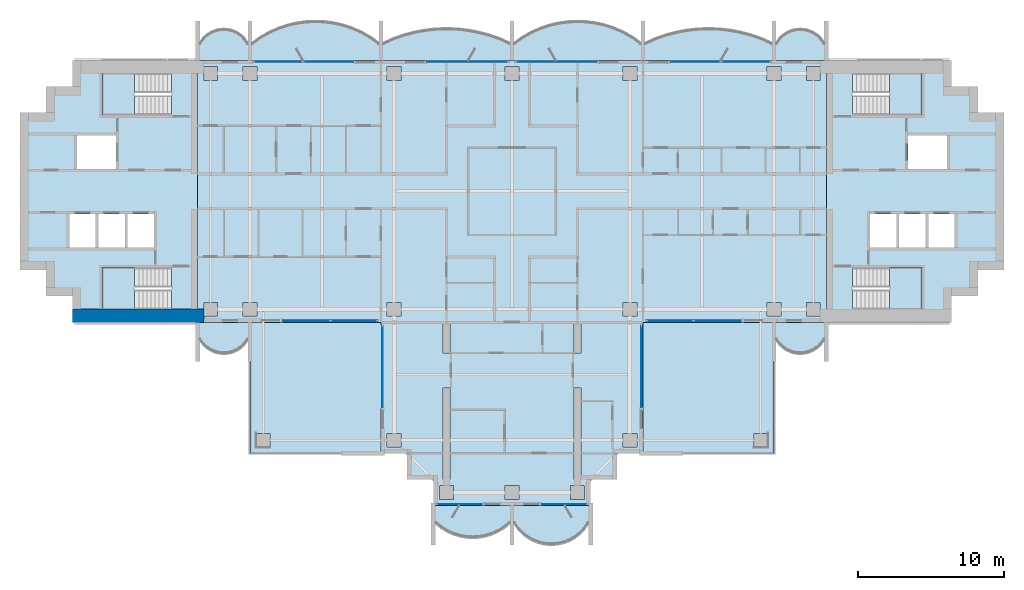
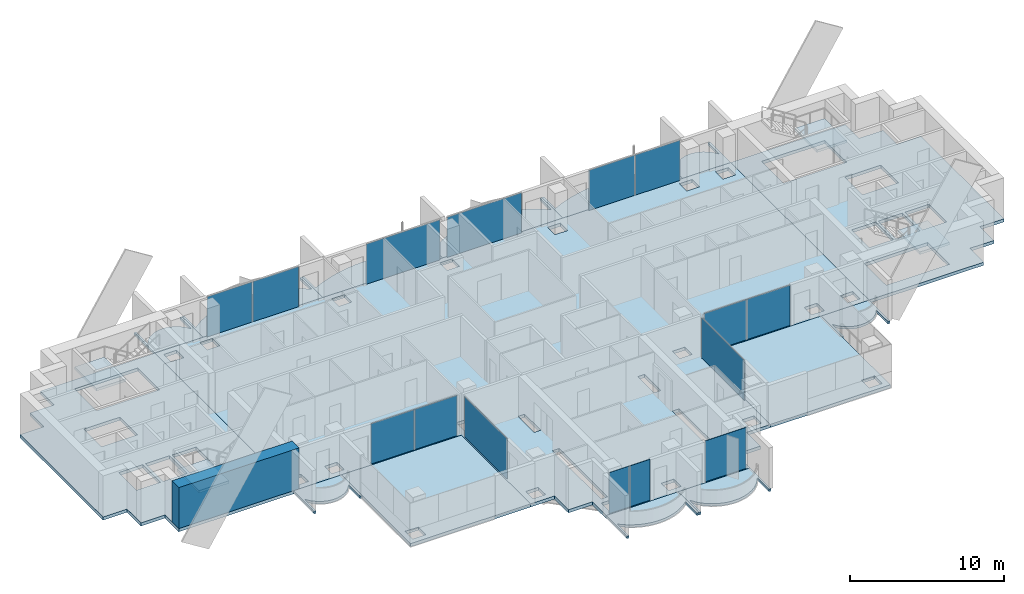
# One storey, part 7 of 17: 19 slabs, 14 plates, 1 wall, 14 elements without a shape of their own.
"""IFC4 building model written with IfcOpenShell, lengths in metres."""

import ifcopenshell
import ifcopenshell.guid

model = None  # the IFC model being written
_history = None  # IfcOwnerHistory: only IFC2X3 demands one
_inside = {}  # id of a spatial element -> (the spatial element, [elements in it])
_under = {}  # id of a project, library or spatial element -> (it, [spatial elements below it])
_declared = {}  # id of a project -> (the project, [libraries it declares])
_typed = {}  # id of a type object -> (the type object, [elements of that type])
_made_of = {}  # id of a material, layer set ... -> (it, [elements and type objects made of it])


def new_model(schema):
    """Start an empty IFC model of exactly this schema.

    Asked for "IFC4X3", IfcOpenShell would pick the latest addendum, in which some entities
    have other attributes; the version numbers below select the first issue.
    IFC2X3 requires an IfcOwnerHistory on every rooted entity: one is made here for all.
    """
    global model, _history
    if schema == "IFC4X3":
        model = ifcopenshell.file(schema_version=(4, 3, 0, 0))
    else:
        model = ifcopenshell.file(schema=schema)
    _inside.clear()
    _under.clear()
    _declared.clear()
    _typed.clear()
    _made_of.clear()
    _history = None
    if model.schema == "IFC2X3":
        org = make("IfcOrganization", Name="unknown")
        user = make(
            "IfcPersonAndOrganization",
            ThePerson=make("IfcPerson", FamilyName="unknown"),
            TheOrganization=org,
        )
        app = make(
            "IfcApplication",
            ApplicationDeveloper=org,
            Version="unknown",
            ApplicationFullName="unknown",
            ApplicationIdentifier="unknown",
        )
        _history = make(
            "IfcOwnerHistory",
            OwningUser=user,
            OwningApplication=app,
            ChangeAction="ADDED",
            CreationDate=0,
        )
    return model


def make(cls, **values):
    """One entity of the class cls with the attributes given. An attribute that is None is left unset."""
    return model.create_entity(
        cls, **{name: value for name, value in values.items() if value is not None}
    )


def rooted(cls, **values):
    """An entity with a GlobalId (a new one), such as an element, a storey or a relation."""
    return make(cls, GlobalId=ifcopenshell.guid.new(), OwnerHistory=_history, **values)


def si_unit(unit_type, name, prefix=None):
    """IfcSIUnit, for example si_unit("LENGTHUNIT", "METRE", prefix="MILLI")."""
    return make("IfcSIUnit", UnitType=unit_type, Prefix=prefix, Name=name)


def assignment(units):
    """IfcUnitAssignment: the units of a project."""
    return None if units is None else make("IfcUnitAssignment", Units=units)


def point(xyz):
    """IfcCartesianPoint."""
    return None if xyz is None else make("IfcCartesianPoint", Coordinates=xyz)


def direction(xyz):
    """IfcDirection."""
    return None if xyz is None else make("IfcDirection", DirectionRatios=xyz)


def frame(location, z_axis=None, x_axis=None):
    """IfcAxis2Placement3D, a coordinate frame: its origin and axes. An axis left out is left unset."""
    return make(
        "IfcAxis2Placement3D",
        Location=point(location),
        Axis=direction(z_axis),
        RefDirection=direction(x_axis),
    )


def frame_2d(location, x_axis=None):
    """IfcAxis2Placement2D, a coordinate frame in the plane: its origin and x axis."""
    return make(
        "IfcAxis2Placement2D", Location=point(location), RefDirection=direction(x_axis)
    )


def origin():
    """The frame at (0, 0, 0) with its axes left unset."""
    return frame((0.0, 0.0, 0.0))


def origin_2d():
    """The frame at (0, 0) in the plane with its x axis left unset."""
    return frame_2d((0.0, 0.0))


def place(relative_to, where):
    """IfcLocalPlacement: puts the frame where relative to a parent placement (None: the world)."""
    return make(
        "IfcLocalPlacement", PlacementRelTo=relative_to, RelativePlacement=where
    )


def context(
    kind, dimensions, precision=None, world=None, true_north=None, identifier=None
):
    """IfcGeometricRepresentationContext, for example the 3D "Model" context."""
    return make(
        "IfcGeometricRepresentationContext",
        ContextIdentifier=identifier,
        ContextType=kind,
        CoordinateSpaceDimension=dimensions,
        Precision=precision,
        WorldCoordinateSystem=world,
        TrueNorth=true_north,
    )


def subcontext(parent, identifier, kind, view, scale=None):
    """IfcGeometricRepresentationSubContext, for example "Body" below "Model"."""
    return make(
        "IfcGeometricRepresentationSubContext",
        ContextIdentifier=identifier,
        ContextType=kind,
        ParentContext=parent,
        TargetScale=scale,
        TargetView=view,
    )


def project(units=None, contexts=None):
    """IfcProject with its units and contexts."""
    return rooted(
        "IfcProject",
        Name="project",
        RepresentationContexts=contexts,
        UnitsInContext=assignment(units),
    )


def spatial(cls, under=None, at=None, **own):
    """A site, building, storey or space (cls), placed at a placement, below another one or the project."""
    s = rooted(cls, ObjectPlacement=at, **own)
    if under is not None:
        _under.setdefault(under.id(), (under, []))[1].append(s)
    return s


def polyline(points):
    """IfcPolyline through the points."""
    return make("IfcPolyline", Points=[point(p) for p in points])


def profile(cls, at=None, kind="AREA", **sizes):
    """A parametric profile (cls). Its sizes go by their IFC names, for example OverallWidth=200.0."""
    return make(cls, ProfileType=kind, Position=at, **sizes)


def rectangle(**sizes):
    """IfcRectangleProfileDef."""
    return profile("IfcRectangleProfileDef", **sizes)


def outline(outer, holes=None, kind="AREA"):
    """IfcArbitraryClosedProfileDef: a profile drawn as a closed curve; with holes, ...WithVoids."""
    if holes is None:
        return make("IfcArbitraryClosedProfileDef", ProfileType=kind, OuterCurve=outer)
    return make(
        "IfcArbitraryProfileDefWithVoids",
        ProfileType=kind,
        OuterCurve=outer,
        InnerCurves=holes,
    )


def extrude(swept, where, along, depth):
    """IfcExtrudedAreaSolid: the profile swept, set in the frame where, extruded along a direction by depth."""
    return make(
        "IfcExtrudedAreaSolid",
        SweptArea=swept,
        Position=where,
        ExtrudedDirection=direction(along),
        Depth=depth,
    )


def shape(context_of_items, identifier, shape_type, items):
    """IfcShapeRepresentation: the items that make up one representation, for example the "Body"."""
    return make(
        "IfcShapeRepresentation",
        ContextOfItems=context_of_items,
        RepresentationIdentifier=identifier,
        RepresentationType=shape_type,
        Items=items,
    )


def material(Name=None, Category=None):
    """IfcMaterial."""
    return make("IfcMaterial", Name=Name, Category=Category)


def layer(
    of_material, thickness, ventilated=None, Name=None, Category=None, Priority=None
):
    """IfcMaterialLayer: one layer of a wall or slab, of a material (None: an air gap)."""
    return make(
        "IfcMaterialLayer",
        Material=of_material,
        LayerThickness=thickness,
        IsVentilated=ventilated,
        Name=Name,
        Category=Category,
        Priority=Priority,
    )


def layer_set(layers, Name=None):
    """IfcMaterialLayerSet."""
    return make("IfcMaterialLayerSet", MaterialLayers=layers, LayerSetName=Name)


def made_of(thing, what):
    """Note that an element or type object is made of a material, layer set ...; save() writes the relation."""
    if what is not None:
        _made_of.setdefault(what.id(), (what, []))[1].append(thing)
    return thing


def type_object(cls, material=None, **own):
    """A type object (cls), such as IfcWallType, which elements share."""
    return made_of(rooted(cls, **own), material)


def element(
    cls,
    number,
    at=None,
    inside=None,
    cuts=None,
    type_object=None,
    material=None,
    context=None,
    identifier="Body",
    shape_type=None,
    held_by="IfcProductDefinitionShape",
    body=None,
    shapes=None,
    **own,
):
    """One element of the class cls, such as IfcWall. Its Tag is "e" and its number.

    at: its placement. inside: the storey or other place that contains it. cuts: it is an
    opening in that element (IfcRelVoidsElement). A single representation is given by context,
    identifier, shape_type and body (its items); several are given by shapes. held_by: the class
    of the entity that holds the representations. save() writes the other relations.
    """
    e = rooted(cls, Tag="e%d" % number, ObjectPlacement=at, **own)
    if body is not None:
        shapes = [shape(context, identifier, shape_type, body)]
    if shapes is not None:
        e.Representation = make(held_by, Representations=shapes)
    if inside is not None:
        _inside.setdefault(inside.id(), (inside, []))[1].append(e)
    if cuts is not None:
        rooted(
            "IfcRelVoidsElement", RelatingBuildingElement=cuts, RelatedOpeningElement=e
        )
    if type_object is not None:
        _typed.setdefault(type_object.id(), (type_object, []))[1].append(e)
    return made_of(e, material)


def aggregate(whole, parts):
    """IfcRelAggregates: a whole, such as a stair, and the parts it consists of."""
    return rooted("IfcRelAggregates", RelatingObject=whole, RelatedObjects=parts)


def save(model, path):
    """Write the relations noted so far, then the file.

    IfcRelAggregates (storeys below a building ...), IfcRelContainedInSpatialStructure (elements
    in a storey), IfcRelDefinesByType, IfcRelAssociatesMaterial and IfcRelDeclares: one each for
    every whole, place, type object, material and project.
    """
    for whole, parts in _under.values():
        aggregate(whole, parts)
    for where, things in _inside.values():
        rooted(
            "IfcRelContainedInSpatialStructure",
            RelatedElements=things,
            RelatingStructure=where,
        )
    for kind, things in _typed.values():
        rooted("IfcRelDefinesByType", RelatedObjects=things, RelatingType=kind)
    for what, things in _made_of.values():
        rooted("IfcRelAssociatesMaterial", RelatedObjects=things, RelatingMaterial=what)
    for by, libraries in _declared.values():
        rooted("IfcRelDeclares", RelatingContext=by, RelatedDefinitions=libraries)
    model.write(path)


model = new_model("IFC4")

# Units and contexts
model_context = context("Model", 3, precision=1e-05, world=origin(), true_north=direction((0.0, 1.0)))
body_context = subcontext(model_context, "Body", "Model", "MODEL_VIEW")
ifc_project = project(units=[si_unit("LENGTHUNIT", "METRE"), si_unit("AREAUNIT", "SQUARE_METRE"), si_unit("VOLUMEUNIT", "CUBIC_METRE"), si_unit("PLANEANGLEUNIT", "RADIAN"), si_unit("MASSUNIT", "GRAM", prefix="KILO")], contexts=[model_context])

# Site, building, storey
site_placement = place(None, origin())
site = spatial("IfcSite", under=ifc_project, at=site_placement, CompositionType="ELEMENT")
building_placement = place(site_placement, origin())
building = spatial("IfcBuilding", under=site, at=building_placement, Name="Perihelion Cross Residences", CompositionType="ELEMENT")
storey_placement = place(building_placement, frame((0.0, 0.0, 187.60009765625)))
storey = spatial("IfcBuildingStorey", under=building, at=storey_placement, Name="L46", CompositionType="ELEMENT", Elevation=187.60009765625)

# Slabs
ifc_material_1 = material(Name="Concrete C40/50", Category="concrete")
ifc_layer_1 = layer(ifc_material_1, 0.199951171875)
ifc_layer_set_1 = layer_set([ifc_layer_1], Name="Balcony slab 200")
slab_type_1 = type_object("IfcSlabType", Name="Balcony slab 200", PredefinedType="FLOOR", material=ifc_layer_set_1)
slab_1_placement = place(storey_placement, frame((0.0, 0.0, -0.2001953125)))
element("IfcSlab", 1, at=slab_1_placement, inside=storey, type_object=slab_type_1, Name="Slab BK1 L46 east side north bay 1 balcony", PredefinedType="FLOOR", context=body_context, shape_type="SweptSolid", body=[
    extrude(outline(polyline([(21.60009765625, 9.0), (18.0, 9.0), (18.0, 11.699951171875), (18.14990234375, 11.699951171875), (18.14990234375, 10.199951171875), (18.425048828125, 10.568603515625), (18.699951171875, 10.806396484375), (18.97509765625, 10.96875), (19.25, 11.07568359375), (19.52490234375, 11.136962890625), (19.800048828125, 11.156982421875), (20.074951171875, 11.136962890625), (20.35009765625, 11.07568359375), (20.625, 10.96875), (20.89990234375, 10.806396484375), (21.175048828125, 10.568603515625), (21.449951171875, 10.199951171875), (21.449951171875, 11.699951171875), (21.60009765625, 11.699951171875), (21.60009765625, 9.0)])), origin(), (0.0, 0.0, 1.0), 0.2001953125),
])
slab_2_placement = place(storey_placement, frame((0.0, 0.0, -0.2001953125)))
element("IfcSlab", 2, at=slab_2_placement, inside=storey, type_object=slab_type_1, Name="Slab BK1 L46 east side north bay 2 balcony", PredefinedType="FLOOR", context=body_context, shape_type="SweptSolid", body=[
    extrude(outline(polyline([(18.0, 9.0), (9.0, 9.0), (9.0, 11.699951171875), (9.14990234375, 11.699951171875), (9.14990234375, 10.199951171875), (9.875, 10.51708984375), (10.60009765625, 10.7685546875), (11.324951171875, 10.959716796875), (12.050048828125, 11.093994140625), (12.77490234375, 11.173583984375), (13.5, 11.199951171875), (14.22509765625, 11.173583984375), (14.949951171875, 11.093994140625), (15.675048828125, 10.959716796875), (16.39990234375, 10.7685546875), (17.125, 10.51708984375), (17.85009765625, 10.199951171875), (17.85009765625, 11.699951171875), (18.0, 11.699951171875), (18.0, 9.0)])), origin(), (0.0, 0.0, 1.0), 0.2001953125),
])
slab_3_placement = place(storey_placement, frame((0.0, 0.0, -0.2001953125)))
element("IfcSlab", 3, at=slab_3_placement, inside=storey, type_object=slab_type_1, Name="Slab BK1 L46 north side east bay 1 balcony", PredefinedType="FLOOR", context=body_context, shape_type="SweptSolid", body=[
    extrude(outline(polyline([(9.0, 9.0), (0.0, 9.0), (0.0, 11.699951171875), (0.14990234375, 11.699951171875), (0.14990234375, 10.199951171875), (0.771484375, 10.634765625), (1.392822265625, 10.979248046875), (2.014404296875, 11.247802734375), (2.6357421875, 11.44921875), (3.257080078125, 11.589599609375), (3.878662109375, 11.672607421875), (4.5, 11.699951171875), (5.121337890625, 11.672607421875), (5.742919921875, 11.589599609375), (6.3642578125, 11.44921875), (6.985595703125, 11.247802734375), (7.607177734375, 10.979248046875), (8.228515625, 10.634765625), (8.85009765625, 10.199951171875), (8.85009765625, 11.699951171875), (9.0, 11.699951171875), (9.0, 9.0)])), origin(), (0.0, 0.0, 1.0), 0.2001953125),
])
slab_4_placement = place(storey_placement, frame((0.0, 0.0, -0.2001953125)))
element("IfcSlab", 4, at=slab_4_placement, inside=storey, type_object=slab_type_1, Name="Slab BK1 L46 north side east bay 2 balcony", PredefinedType="FLOOR", context=body_context, shape_type="SweptSolid", body=[
    extrude(outline(polyline([(0.0, 9.0), (-9.0, 9.0), (-9.0, 11.699951171875), (-8.85009765625, 11.699951171875), (-8.85009765625, 10.199951171875), (-8.125, 10.51708984375), (-7.39990234375, 10.7685546875), (-6.675048828125, 10.959716796875), (-5.949951171875, 11.093994140625), (-5.22509765625, 11.173583984375), (-4.5, 11.199951171875), (-3.77490234375, 11.173583984375), (-3.050048828125, 11.093994140625), (-2.324951171875, 10.959716796875), (-1.60009765625, 10.7685546875), (-0.875, 10.51708984375), (-0.14990234375, 10.199951171875), (-0.14990234375, 11.699951171875), (0.0, 11.699951171875), (0.0, 9.0)])), origin(), (0.0, 0.0, 1.0), 0.2001953125),
])
slab_5_placement = place(storey_placement, frame((0.0, 0.0, -0.2001953125)))
element("IfcSlab", 5, at=slab_5_placement, inside=storey, type_object=slab_type_1, Name="Slab BK1 L46 west side north bay 1 balcony", PredefinedType="FLOOR", context=body_context, shape_type="SweptSolid", body=[
    extrude(outline(polyline([(-9.0, 9.0), (-18.0, 9.0), (-18.0, 11.699951171875), (-17.85009765625, 11.699951171875), (-17.85009765625, 10.199951171875), (-17.228515625, 10.634765625), (-16.607177734375, 10.979248046875), (-15.985595703125, 11.247802734375), (-15.3642578125, 11.44921875), (-14.742919921875, 11.589599609375), (-14.121337890625, 11.672607421875), (-13.5, 11.699951171875), (-12.878662109375, 11.672607421875), (-12.257080078125, 11.589599609375), (-11.6357421875, 11.44921875), (-11.014404296875, 11.247802734375), (-10.392822265625, 10.979248046875), (-9.771484375, 10.634765625), (-9.14990234375, 10.199951171875), (-9.14990234375, 11.699951171875), (-9.0, 11.699951171875), (-9.0, 9.0)])), origin(), (0.0, 0.0, 1.0), 0.2001953125),
])
slab_6_placement = place(storey_placement, frame((0.0, 0.0, -0.2001953125)))
element("IfcSlab", 6, at=slab_6_placement, inside=storey, type_object=slab_type_1, Name="Slab BK1 L46 west side north bay 2 balcony", PredefinedType="FLOOR", context=body_context, shape_type="SweptSolid", body=[
    extrude(outline(polyline([(-18.0, 9.0), (-21.60009765625, 9.0), (-21.60009765625, 11.699951171875), (-21.449951171875, 11.699951171875), (-21.449951171875, 10.199951171875), (-21.175048828125, 10.568603515625), (-20.89990234375, 10.806396484375), (-20.625, 10.96875), (-20.35009765625, 11.07568359375), (-20.074951171875, 11.136962890625), (-19.800048828125, 11.156982421875), (-19.52490234375, 11.136962890625), (-19.25, 11.07568359375), (-18.97509765625, 10.96875), (-18.699951171875, 10.806396484375), (-18.425048828125, 10.568603515625), (-18.14990234375, 10.199951171875), (-18.14990234375, 11.699951171875), (-18.0, 11.699951171875), (-18.0, 9.0)])), origin(), (0.0, 0.0, 1.0), 0.2001953125),
])
slab_7_placement = place(storey_placement, frame((0.0, 0.0, -0.2001953125)))
element("IfcSlab", 7, at=slab_7_placement, inside=storey, type_object=slab_type_1, Name="Slab BK1 L46 west side south bay 1 balcony", PredefinedType="FLOOR", context=body_context, shape_type="SweptSolid", body=[
    extrude(outline(polyline([(-21.60009765625, -9.0), (-18.0, -9.0), (-18.0, -11.699951171875), (-18.14990234375, -11.699951171875), (-18.14990234375, -10.199951171875), (-18.425048828125, -10.568603515625), (-18.699951171875, -10.806396484375), (-18.97509765625, -10.96875), (-19.25, -11.07568359375), (-19.52490234375, -11.136962890625), (-19.800048828125, -11.156982421875), (-20.074951171875, -11.136962890625), (-20.35009765625, -11.07568359375), (-20.625, -10.96875), (-20.89990234375, -10.806396484375), (-21.175048828125, -10.568603515625), (-21.449951171875, -10.199951171875), (-21.449951171875, -11.699951171875), (-21.60009765625, -11.699951171875), (-21.60009765625, -9.0)])), origin(), (0.0, 0.0, 1.0), 0.2001953125),
])
slab_8_placement = place(storey_placement, frame((0.0, 0.0, -0.2001953125)))
element("IfcSlab", 8, at=slab_8_placement, inside=storey, type_object=slab_type_1, Name="Slab BK1 L46 south tip south bay 1 balcony", PredefinedType="FLOOR", context=body_context, shape_type="SweptSolid", body=[
    extrude(outline(polyline([(-5.39990234375, -21.60009765625), (0.0, -21.60009765625), (0.0, -24.300048828125), (-0.14990234375, -24.300048828125), (-0.14990234375, -22.800048828125), (-0.574951171875, -23.14013671875), (-1.0, -23.392578125), (-1.425048828125, -23.57666015625), (-1.85009765625, -23.702392578125), (-2.27490234375, -23.77587890625), (-2.699951171875, -23.800048828125), (-3.125, -23.77587890625), (-3.550048828125, -23.702392578125), (-3.97509765625, -23.57666015625), (-4.39990234375, -23.392578125), (-4.824951171875, -23.14013671875), (-5.25, -22.800048828125), (-5.25, -24.300048828125), (-5.39990234375, -24.300048828125), (-5.39990234375, -21.60009765625)])), origin(), (0.0, 0.0, 1.0), 0.2001953125),
])
slab_9_placement = place(storey_placement, frame((0.0, 0.0, -0.2001953125)))
element("IfcSlab", 9, at=slab_9_placement, inside=storey, type_object=slab_type_1, Name="Slab BK1 L46 south tip south bay 2 balcony", PredefinedType="FLOOR", context=body_context, shape_type="SweptSolid", body=[
    extrude(outline(polyline([(0.0, -21.60009765625), (5.39990234375, -21.60009765625), (5.39990234375, -24.300048828125), (5.25, -24.300048828125), (5.25, -22.800048828125), (4.909912109375, -23.27685546875), (4.570068359375, -23.60693359375), (4.22998046875, -23.84912109375), (3.889892578125, -24.027099609375), (3.550048828125, -24.1533203125), (3.2099609375, -24.234375), (2.8701171875, -24.274169921875), (2.530029296875, -24.274169921875), (2.18994140625, -24.234375), (1.85009765625, -24.1533203125), (1.510009765625, -24.027099609375), (1.169921875, -23.84912109375), (0.830078125, -23.60693359375), (0.489990234375, -23.27685546875), (0.14990234375, -22.800048828125), (0.14990234375, -24.300048828125), (0.0, -24.300048828125), (0.0, -21.60009765625)])), origin(), (0.0, 0.0, 1.0), 0.2001953125),
])
slab_10_placement = place(storey_placement, frame((0.0, 0.0, -0.2001953125)))
element("IfcSlab", 10, at=slab_10_placement, inside=storey, type_object=slab_type_1, Name="Slab BK1 L46 east side south bay 2 balcony", PredefinedType="FLOOR", context=body_context, shape_type="SweptSolid", body=[
    extrude(outline(polyline([(18.0, -9.0), (21.60009765625, -9.0), (21.60009765625, -11.699951171875), (21.449951171875, -11.699951171875), (21.449951171875, -10.199951171875), (21.175048828125, -10.568603515625), (20.89990234375, -10.806396484375), (20.625, -10.96875), (20.35009765625, -11.07568359375), (20.074951171875, -11.136962890625), (19.800048828125, -11.156982421875), (19.52490234375, -11.136962890625), (19.25, -11.07568359375), (18.97509765625, -10.96875), (18.699951171875, -10.806396484375), (18.425048828125, -10.568603515625), (18.14990234375, -10.199951171875), (18.14990234375, -11.699951171875), (18.0, -11.699951171875), (18.0, -9.0)])), origin(), (0.0, 0.0, 1.0), 0.2001953125),
])

# Curtain wall, plates
ifc_material_2 = material(Name="Bronze anodised aluminium, tinted glazing", Category="aluminium")
curtain_wall_type = type_object("IfcCurtainWallType", Name="CW1", PredefinedType="NOTDEFINED", material=ifc_material_2)
curtain_wall_1_placement = place(storey_placement, origin())
curtain_wall_1 = element("IfcCurtainWall", 11, at=curtain_wall_1_placement, inside=storey, type_object=curtain_wall_type, Name="Curtain wall CW1 L46 east side north bay 2", PredefinedType="NOTDEFINED")
ifc_material_3 = material(Name="Tinted laminated glass", Category="glass")
ifc_layer_2 = layer(ifc_material_3, 0.028076171875)
ifc_layer_set_2 = layer_set([ifc_layer_2], Name="CW1 panel")
plate_type = type_object("IfcPlateType", Name="CW1 panel", PredefinedType="CURTAIN_PANEL", material=ifc_layer_set_2)
plate_1_placement = place(storey_placement, frame((16.06005859375, 8.89990234375, 0.0), z_axis=(0.0, 0.0, 1.0), x_axis=(-1.0, 0.0, 0.0)))
plate_1 = element("IfcPlate", 12, at=plate_1_placement, type_object=plate_type, Name="CW1 panel 1", PredefinedType="CURTAIN_PANEL", context=body_context, shape_type="SweptSolid", body=[
    extrude(rectangle(XDim=3.360107421875, YDim=0.028076171875, at=origin_2d()), origin(), (0.0, 0.0, 1.0), 3.18994140625),
])
plate_2_placement = place(storey_placement, frame((12.610107421875, 8.89990234375, 0.0), z_axis=(0.0, 0.0, 1.0), x_axis=(-1.0, 0.0, 0.0)))
plate_2 = element("IfcPlate", 13, at=plate_2_placement, type_object=plate_type, Name="CW1 panel 2", PredefinedType="CURTAIN_PANEL", context=body_context, shape_type="SweptSolid", body=[
    extrude(rectangle(XDim=3.419921875, YDim=0.028076171875, at=origin_2d()), origin(), (0.0, 0.0, 1.0), 3.18994140625),
])
aggregate(curtain_wall_1, [plate_1, plate_2])

# Curtain wall, plate
curtain_wall_2_placement = place(storey_placement, origin())
curtain_wall_2 = element("IfcCurtainWall", 14, at=curtain_wall_2_placement, inside=storey, type_object=curtain_wall_type, Name="Curtain wall CW1 L46 north side east bay 1", PredefinedType="NOTDEFINED")
plate_3_placement = place(storey_placement, frame((3.04248046875, 8.89990234375, 0.0), z_axis=(0.0, 0.0, 1.0), x_axis=(-1.0, 0.0, 0.0)))
plate_3 = element("IfcPlate", 15, at=plate_3_placement, type_object=plate_type, Name="CW1 panel 1", PredefinedType="CURTAIN_PANEL", context=body_context, shape_type="SweptSolid", body=[
    extrude(rectangle(XDim=5.56494140625, YDim=0.028076171875, at=origin_2d()), origin(), (0.0, 0.0, 1.0), 3.18994140625),
])
aggregate(curtain_wall_2, [plate_3])

curtain_wall_3_placement = place(storey_placement, origin())
curtain_wall_3 = element("IfcCurtainWall", 16, at=curtain_wall_3_placement, inside=storey, type_object=curtain_wall_type, Name="Curtain wall CW1 L46 north side east bay 2", PredefinedType="NOTDEFINED")
plate_4_placement = place(storey_placement, frame((-3.04248046875, 8.89990234375, 0.0), z_axis=(0.0, 0.0, 1.0), x_axis=(-1.0, 0.0, 0.0)))
plate_4 = element("IfcPlate", 17, at=plate_4_placement, type_object=plate_type, Name="CW1 panel 1", PredefinedType="CURTAIN_PANEL", context=body_context, shape_type="SweptSolid", body=[
    extrude(rectangle(XDim=5.56494140625, YDim=0.028076171875, at=origin_2d()), origin(), (0.0, 0.0, 1.0), 3.18994140625),
])
aggregate(curtain_wall_3, [plate_4])

# Curtain wall, plates
curtain_wall_4_placement = place(storey_placement, origin())
curtain_wall_4 = element("IfcCurtainWall", 18, at=curtain_wall_4_placement, inside=storey, type_object=curtain_wall_type, Name="Curtain wall CW1 L46 west side north bay 1", PredefinedType="NOTDEFINED")
plate_5_placement = place(storey_placement, frame((-12.610107421875, 8.89990234375, 0.0), z_axis=(0.0, 0.0, 1.0), x_axis=(-1.0, 0.0, 0.0)))
plate_5 = element("IfcPlate", 19, at=plate_5_placement, type_object=plate_type, Name="CW1 panel 1", PredefinedType="CURTAIN_PANEL", context=body_context, shape_type="SweptSolid", body=[
    extrude(rectangle(XDim=3.419921875, YDim=0.028076171875, at=origin_2d()), origin(), (0.0, 0.0, 1.0), 3.18994140625),
])
plate_6_placement = place(storey_placement, frame((-16.06005859375, 8.89990234375, 0.0), z_axis=(0.0, 0.0, 1.0), x_axis=(-1.0, 0.0, 0.0)))
plate_6 = element("IfcPlate", 20, at=plate_6_placement, type_object=plate_type, Name="CW1 panel 2", PredefinedType="CURTAIN_PANEL", context=body_context, shape_type="SweptSolid", body=[
    extrude(rectangle(XDim=3.360107421875, YDim=0.028076171875, at=origin_2d()), origin(), (0.0, 0.0, 1.0), 3.18994140625),
])
aggregate(curtain_wall_4, [plate_5, plate_6])

curtain_wall_5_placement = place(storey_placement, origin())
curtain_wall_5 = element("IfcCurtainWall", 21, at=curtain_wall_5_placement, inside=storey, type_object=curtain_wall_type, Name="Curtain wall CW1 L46 west side south bay 2", PredefinedType="NOTDEFINED")
plate_7_placement = place(storey_placement, frame((-14.108642578125, -8.89990234375, 0.0), z_axis=(0.0, 0.0, 1.0), x_axis=(1.0, 0.0, 0.0)))
plate_7 = element("IfcPlate", 22, at=plate_7_placement, type_object=plate_type, Name="CW1 panel 1", PredefinedType="CURTAIN_PANEL", context=body_context, shape_type="SweptSolid", body=[
    extrude(rectangle(XDim=3.232421875, YDim=0.028076171875, at=origin_2d()), origin(), (0.0, 0.0, 1.0), 3.18994140625),
])
plate_8_placement = place(storey_placement, frame((-10.84619140625, -8.89990234375, 0.0), z_axis=(0.0, 0.0, 1.0), x_axis=(1.0, 0.0, 0.0)))
plate_8 = element("IfcPlate", 23, at=plate_8_placement, type_object=plate_type, Name="CW1 panel 2", PredefinedType="CURTAIN_PANEL", context=body_context, shape_type="SweptSolid", body=[
    extrude(rectangle(XDim=3.172607421875, YDim=0.028076171875, at=origin_2d()), origin(), (0.0, 0.0, 1.0), 3.18994140625),
])
aggregate(curtain_wall_5, [plate_7, plate_8])

# Curtain wall, plate
curtain_wall_6_placement = place(storey_placement, origin())
curtain_wall_6 = element("IfcCurtainWall", 24, at=curtain_wall_6_placement, inside=storey, type_object=curtain_wall_type, Name="Curtain wall CW1 L46 south side west bay 1", PredefinedType="NOTDEFINED")
plate_9_placement = place(storey_placement, frame((-8.89990234375, -12.04248046875, 0.0), z_axis=(0.0, 0.0, 1.0), x_axis=(0.0, -1.0, 0.0)))
plate_9 = element("IfcPlate", 25, at=plate_9_placement, type_object=plate_type, Name="CW1 panel 1", PredefinedType="CURTAIN_PANEL", context=body_context, shape_type="SweptSolid", body=[
    extrude(rectangle(XDim=5.56494140625, YDim=0.028076171875, at=origin_2d()), origin(), (0.0, 0.0, 1.0), 3.18994140625),
])
aggregate(curtain_wall_6, [plate_9])

curtain_wall_7_placement = place(storey_placement, origin())
curtain_wall_7 = element("IfcCurtainWall", 26, at=curtain_wall_7_placement, inside=storey, type_object=curtain_wall_type, Name="Curtain wall CW1 L46 south tip south bay 1", PredefinedType="NOTDEFINED")
plate_10_placement = place(storey_placement, frame((-3.607421875, -21.5, 0.0), z_axis=(0.0, 0.0, 1.0), x_axis=(1.0, 0.0, 0.0)))
plate_10 = element("IfcPlate", 27, at=plate_10_placement, type_object=plate_type, Name="CW1 panel 1", PredefinedType="CURTAIN_PANEL", context=body_context, shape_type="SweptSolid", body=[
    extrude(rectangle(XDim=3.06494140625, YDim=0.028076171875, at=origin_2d()), origin(), (0.0, 0.0, 1.0), 3.25),
])
aggregate(curtain_wall_7, [plate_10])

curtain_wall_8_placement = place(storey_placement, origin())
curtain_wall_8 = element("IfcCurtainWall", 28, at=curtain_wall_8_placement, inside=storey, type_object=curtain_wall_type, Name="Curtain wall CW1 L46 south tip south bay 2", PredefinedType="NOTDEFINED")
plate_11_placement = place(storey_placement, frame((3.607421875, -21.5, 0.0), z_axis=(0.0, 0.0, 1.0), x_axis=(1.0, 0.0, 0.0)))
plate_11 = element("IfcPlate", 29, at=plate_11_placement, type_object=plate_type, Name="CW1 panel 1", PredefinedType="CURTAIN_PANEL", context=body_context, shape_type="SweptSolid", body=[
    extrude(rectangle(XDim=3.06494140625, YDim=0.028076171875, at=origin_2d()), origin(), (0.0, 0.0, 1.0), 3.25),
])
aggregate(curtain_wall_8, [plate_11])

curtain_wall_9_placement = place(storey_placement, origin())
curtain_wall_9 = element("IfcCurtainWall", 30, at=curtain_wall_9_placement, inside=storey, type_object=curtain_wall_type, Name="Curtain wall CW1 L46 south side east bay 1", PredefinedType="NOTDEFINED")
plate_12_placement = place(storey_placement, frame((8.89990234375, -12.04248046875, 0.0), z_axis=(0.0, 0.0, 1.0), x_axis=(0.0, 1.0, 0.0)))
plate_12 = element("IfcPlate", 31, at=plate_12_placement, type_object=plate_type, Name="CW1 panel 1", PredefinedType="CURTAIN_PANEL", context=body_context, shape_type="SweptSolid", body=[
    extrude(rectangle(XDim=5.56494140625, YDim=0.028076171875, at=origin_2d()), origin(), (0.0, 0.0, 1.0), 3.18994140625),
])
aggregate(curtain_wall_9, [plate_12])

# Curtain wall, plates
curtain_wall_10_placement = place(storey_placement, origin())
curtain_wall_10 = element("IfcCurtainWall", 32, at=curtain_wall_10_placement, inside=storey, type_object=curtain_wall_type, Name="Curtain wall CW1 L46 east side south bay 1", PredefinedType="NOTDEFINED")
plate_13_placement = place(storey_placement, frame((10.84619140625, -8.89990234375, 0.0), z_axis=(0.0, 0.0, 1.0), x_axis=(1.0, 0.0, 0.0)))
plate_13 = element("IfcPlate", 33, at=plate_13_placement, type_object=plate_type, Name="CW1 panel 1", PredefinedType="CURTAIN_PANEL", context=body_context, shape_type="SweptSolid", body=[
    extrude(rectangle(XDim=3.172607421875, YDim=0.028076171875, at=origin_2d()), origin(), (0.0, 0.0, 1.0), 3.18994140625),
])
plate_14_placement = place(storey_placement, frame((14.108642578125, -8.89990234375, 0.0), z_axis=(0.0, 0.0, 1.0), x_axis=(1.0, 0.0, 0.0)))
plate_14 = element("IfcPlate", 34, at=plate_14_placement, type_object=plate_type, Name="CW1 panel 2", PredefinedType="CURTAIN_PANEL", context=body_context, shape_type="SweptSolid", body=[
    extrude(rectangle(XDim=3.232421875, YDim=0.028076171875, at=origin_2d()), origin(), (0.0, 0.0, 1.0), 3.18994140625),
])
aggregate(curtain_wall_10, [plate_13, plate_14])

# Slabs
ifc_material_4 = material(Name="Concrete C40/50", Category="concrete")
ifc_layer_3 = layer(ifc_material_4, 0.25)
ifc_layer_set_3 = layer_set([ifc_layer_3], Name="Core floor slab 250")
slab_type_2 = type_object("IfcSlabType", Name="Core floor slab 250", PredefinedType="FLOOR", material=ifc_layer_set_3)
slab_11_placement = place(storey_placement, frame((0.0, 0.0, -0.25)))
element("IfcSlab", 35, at=slab_11_placement, inside=storey, type_object=slab_type_2, Name="East core floor slab", PredefinedType="FLOOR", context=body_context, shape_type="SweptSolid", body=[
    extrude(outline(polyline([(30.199951171875, 7.199951171875), (32.0, 7.199951171875), (32.0, 5.39990234375), (33.800048828125, 5.39990234375), (33.800048828125, -5.39990234375), (32.0, -5.39990234375), (32.0, -7.199951171875), (30.199951171875, -7.199951171875), (30.199951171875, -9.0), (21.60009765625, -9.0), (21.60009765625, 9.0), (30.199951171875, 9.0), (30.199951171875, 7.199951171875)]), holes=[polyline([(28.14990234375, -8.10009765625), (28.14990234375, -5.25), (23.405029296875, -5.25), (23.405029296875, -8.10009765625), (28.14990234375, -8.10009765625)]), polyline([(24.60009765625, -1.550048828125), (24.60009765625, -3.85009765625), (26.39990234375, -3.85009765625), (26.39990234375, -1.550048828125), (24.60009765625, -1.550048828125)]), polyline([(26.60009765625, -1.550048828125), (26.60009765625, -3.85009765625), (28.39990234375, -3.85009765625), (28.39990234375, -1.550048828125), (26.60009765625, -1.550048828125)]), polyline([(28.60009765625, -3.85009765625), (30.39990234375, -3.85009765625), (30.39990234375, -1.550048828125), (28.60009765625, -1.550048828125), (28.60009765625, -3.85009765625)]), polyline([(27.199951171875, 3.85009765625), (27.199951171875, 1.550048828125), (29.89990234375, 1.550048828125), (29.89990234375, 3.85009765625), (27.199951171875, 3.85009765625)]), polyline([(23.405029296875, 5.25), (28.14990234375, 5.25), (28.14990234375, 8.10009765625), (23.405029296875, 8.10009765625), (23.405029296875, 5.25)])]), origin(), (0.0, 0.0, 1.0), 0.25),
])
slab_12_placement = place(storey_placement, frame((0.0, 0.0, -0.25)))
element("IfcSlab", 36, at=slab_12_placement, inside=storey, type_object=slab_type_2, Name="West core floor slab", PredefinedType="FLOOR", context=body_context, shape_type="SweptSolid", body=[
    extrude(outline(polyline([(-30.199951171875, 7.199951171875), (-32.0, 7.199951171875), (-32.0, 5.39990234375), (-33.800048828125, 5.39990234375), (-33.800048828125, -5.39990234375), (-32.0, -5.39990234375), (-32.0, -7.199951171875), (-30.199951171875, -7.199951171875), (-30.199951171875, -9.0), (-21.60009765625, -9.0), (-21.60009765625, 9.0), (-30.199951171875, 9.0), (-30.199951171875, 7.199951171875)]), holes=[polyline([(-28.14990234375, -8.10009765625), (-28.14990234375, -5.25), (-23.405029296875, -5.25), (-23.405029296875, -8.10009765625), (-28.14990234375, -8.10009765625)]), polyline([(-24.60009765625, -1.550048828125), (-24.60009765625, -3.85009765625), (-26.39990234375, -3.85009765625), (-26.39990234375, -1.550048828125), (-24.60009765625, -1.550048828125)]), polyline([(-26.60009765625, -1.550048828125), (-26.60009765625, -3.85009765625), (-28.39990234375, -3.85009765625), (-28.39990234375, -1.550048828125), (-26.60009765625, -1.550048828125)]), polyline([(-28.60009765625, -3.85009765625), (-30.39990234375, -3.85009765625), (-30.39990234375, -1.550048828125), (-28.60009765625, -1.550048828125), (-28.60009765625, -3.85009765625)]), polyline([(-27.199951171875, 3.85009765625), (-27.199951171875, 1.550048828125), (-29.89990234375, 1.550048828125), (-29.89990234375, 3.85009765625), (-27.199951171875, 3.85009765625)]), polyline([(-23.405029296875, 5.25), (-28.14990234375, 5.25), (-28.14990234375, 8.10009765625), (-23.405029296875, 8.10009765625), (-23.405029296875, 5.25)])]), origin(), (0.0, 0.0, 1.0), 0.25),
])
ifc_material_5 = material(Name="Concrete C40/50", Category="concrete")
ifc_layer_4 = layer(ifc_material_5, 0.25)
ifc_layer_set_4 = layer_set([ifc_layer_4], Name="Corner terrace slab")
slab_type_3 = type_object("IfcSlabType", Name="Corner terrace slab", PredefinedType="FLOOR", material=ifc_layer_set_4)
slab_13_placement = place(storey_placement, frame((0.0, 0.0, -0.25)))
element("IfcSlab", 37, at=slab_13_placement, inside=storey, type_object=slab_type_3, Name="Slab BK2 L46 pocket south-west", PredefinedType="FLOOR", context=body_context, shape_type="SweptSolid", body=[
    extrude(outline(polyline([(-9.0, -18.0), (-9.0, -9.0), (-18.0, -9.0), (-18.0, -18.0), (-9.0, -18.0)]), holes=[polyline([(-16.625, -17.614990234375), (-17.614990234375, -17.614990234375), (-17.614990234375, -16.5849609375), (-17.574951171875, -16.5849609375), (-17.574951171875, -16.625), (-16.625, -16.625), (-16.625, -17.614990234375)])]), origin(), (0.0, 0.0, 1.0), 0.25),
])
slab_14_placement = place(storey_placement, frame((0.0, 0.0, -0.25)))
element("IfcSlab", 38, at=slab_14_placement, inside=storey, type_object=slab_type_3, Name="Slab BK2 L46 pocket south-east", PredefinedType="FLOOR", context=body_context, shape_type="SweptSolid", body=[
    extrude(outline(polyline([(18.0, -18.0), (18.0, -9.0), (9.0, -9.0), (9.0, -18.0), (18.0, -18.0)]), holes=[polyline([(16.625, -17.614990234375), (16.625, -16.625), (17.574951171875, -16.625), (17.574951171875, -16.5849609375), (17.614990234375, -16.5849609375), (17.614990234375, -17.614990234375), (16.625, -17.614990234375)])]), origin(), (0.0, 0.0, 1.0), 0.25),
])

# Stair, slab
ifc_material_6 = material(Name="Concrete C40/50", Category="concrete")
stair_type = type_object("IfcStairType", Name="Exit stair, half-turn", PredefinedType="HALF_TURN_STAIR", material=ifc_material_6)
stair_1_placement = place(storey_placement, origin())
stair_1 = element("IfcStair", 39, at=stair_1_placement, inside=storey, type_object=stair_type, Name="L46 East core exit stair 1", PredefinedType="HALF_TURN_STAIR")
ifc_material_7 = material(Name="Concrete C40/50", Category="concrete")
ifc_layer_5 = layer(ifc_material_7, 0.199951171875)
ifc_layer_set_5 = layer_set([ifc_layer_5], Name="Exit stair landing 200")
slab_type_4 = type_object("IfcSlabType", Name="Exit stair landing 200", PredefinedType="LANDING", material=ifc_layer_set_5)
slab_15_placement = place(storey_placement, frame((0.0, 0.0, 1.5498046875)))
slab_15 = element("IfcSlab", 40, at=slab_15_placement, type_object=slab_type_4, Name="ST-E1 landing 1", PredefinedType="LANDING", context=body_context, shape_type="SweptSolid", body=[
    extrude(outline(polyline([(25.919921875, 5.25), (28.14990234375, 5.25), (28.14990234375, 8.10009765625), (25.919921875, 8.10009765625), (25.919921875, 5.25)])), origin(), (0.0, 0.0, 1.0), 0.2001953125),
])
aggregate(stair_1, [slab_15])

stair_2_placement = place(storey_placement, origin())
stair_2 = element("IfcStair", 41, at=stair_2_placement, inside=storey, type_object=stair_type, Name="L46 East core exit stair 2", PredefinedType="HALF_TURN_STAIR")
slab_16_placement = place(storey_placement, frame((0.0, 0.0, 1.5498046875)))
slab_16 = element("IfcSlab", 42, at=slab_16_placement, type_object=slab_type_4, Name="ST-E2 landing 1", PredefinedType="LANDING", context=body_context, shape_type="SweptSolid", body=[
    extrude(outline(polyline([(25.919921875, -8.10009765625), (28.14990234375, -8.10009765625), (28.14990234375, -5.25), (25.919921875, -5.25), (25.919921875, -8.10009765625)])), origin(), (0.0, 0.0, 1.0), 0.2001953125),
])
aggregate(stair_2, [slab_16])

stair_3_placement = place(storey_placement, origin())
stair_3 = element("IfcStair", 43, at=stair_3_placement, inside=storey, type_object=stair_type, Name="L46 West core exit stair 1", PredefinedType="HALF_TURN_STAIR")
slab_17_placement = place(storey_placement, frame((0.0, 0.0, 1.5498046875)))
slab_17 = element("IfcSlab", 44, at=slab_17_placement, type_object=slab_type_4, Name="ST-W1 landing 1", PredefinedType="LANDING", context=body_context, shape_type="SweptSolid", body=[
    extrude(outline(polyline([(-25.919921875, 8.10009765625), (-28.14990234375, 8.10009765625), (-28.14990234375, 5.25), (-25.919921875, 5.25), (-25.919921875, 8.10009765625)])), origin(), (0.0, 0.0, 1.0), 0.2001953125),
])
aggregate(stair_3, [slab_17])

stair_4_placement = place(storey_placement, origin())
stair_4 = element("IfcStair", 45, at=stair_4_placement, inside=storey, type_object=stair_type, Name="L46 West core exit stair 2", PredefinedType="HALF_TURN_STAIR")
slab_18_placement = place(storey_placement, frame((0.0, 0.0, 1.5498046875)))
slab_18 = element("IfcSlab", 46, at=slab_18_placement, type_object=slab_type_4, Name="ST-W2 landing 1", PredefinedType="LANDING", context=body_context, shape_type="SweptSolid", body=[
    extrude(outline(polyline([(-25.919921875, -5.25), (-28.14990234375, -5.25), (-28.14990234375, -8.10009765625), (-25.919921875, -8.10009765625), (-25.919921875, -5.25)])), origin(), (0.0, 0.0, 1.0), 0.2001953125),
])
aggregate(stair_4, [slab_18])

# Slab
ifc_material_8 = material(Name="Concrete C50/60", Category="concrete")
ifc_layer_6 = layer(ifc_material_8, 0.25)
ifc_layer_set_6 = layer_set([ifc_layer_6], Name="Residential floor post-tensioned slab concrete C50/60")
slab_type_5 = type_object("IfcSlabType", Name="Residential floor post-tensioned slab concrete C50/60", PredefinedType="FLOOR", material=ifc_layer_set_6)
slab_19_placement = place(storey_placement, frame((0.0, 0.0, -0.25)))
element("IfcSlab", 47, at=slab_19_placement, inside=storey, type_object=slab_type_5, Name="Slab SL8 L46 1 no. 1", PredefinedType="FLOOR", context=body_context, shape_type="SweptSolid", body=[
    extrude(outline(polyline([(-9.0, 9.0), (9.0, 9.0), (21.60009765625, 9.0), (21.60009765625, -9.0), (9.0, -9.0), (9.0, -18.0), (7.199951171875, -18.0), (7.199951171875, -19.800048828125), (5.39990234375, -19.800048828125), (5.39990234375, -21.60009765625), (-5.39990234375, -21.60009765625), (-5.39990234375, -19.800048828125), (-7.199951171875, -19.800048828125), (-7.199951171875, -18.0), (-9.0, -18.0), (-9.0, -9.0), (-21.60009765625, -9.0), (-21.60009765625, 9.0), (-9.0, 9.0)]), holes=[polyline([(-4.02490234375, -20.22509765625), (-4.97509765625, -20.22509765625), (-4.97509765625, -21.175048828125), (-4.02490234375, -21.175048828125), (-4.02490234375, -20.22509765625)]), polyline([(0.47509765625, -21.175048828125), (0.47509765625, -20.22509765625), (-0.47509765625, -20.22509765625), (-0.47509765625, -21.175048828125), (0.47509765625, -21.175048828125)]), polyline([(-7.625, -17.574951171875), (-7.625, -16.625), (-8.574951171875, -16.625), (-8.574951171875, -17.574951171875), (-7.625, -17.574951171875)]), polyline([(-4.25, -13.5), (-4.75, -13.5), (-4.75, -19.800048828125), (-4.25, -19.800048828125), (-4.25, -13.5)]), polyline([(-4.25, -11.10009765625), (-4.25, -9.0), (-4.75, -9.0), (-4.75, -11.10009765625), (-4.25, -11.10009765625)]), polyline([(-20.22509765625, -8.574951171875), (-20.22509765625, -7.625), (-21.175048828125, -7.625), (-21.175048828125, -8.574951171875), (-20.22509765625, -8.574951171875)]), polyline([(-17.52490234375, -7.625), (-18.47509765625, -7.625), (-18.47509765625, -8.574951171875), (-17.52490234375, -8.574951171875), (-17.52490234375, -7.625)]), polyline([(-7.625, -8.574951171875), (-7.625, -7.625), (-8.574951171875, -7.625), (-8.574951171875, -8.574951171875), (-7.625, -8.574951171875)]), polyline([(-20.22509765625, 8.574951171875), (-21.175048828125, 8.574951171875), (-21.175048828125, 7.625), (-20.22509765625, 7.625), (-20.22509765625, 8.574951171875)]), polyline([(-17.52490234375, 7.625), (-17.52490234375, 8.574951171875), (-18.47509765625, 8.574951171875), (-18.47509765625, 7.625), (-17.52490234375, 7.625)]), polyline([(-7.625, 7.625), (-7.625, 8.574951171875), (-8.574951171875, 8.574951171875), (-8.574951171875, 7.625), (-7.625, 7.625)]), polyline([(4.97509765625, -20.22509765625), (4.02490234375, -20.22509765625), (4.02490234375, -21.175048828125), (4.97509765625, -21.175048828125), (4.97509765625, -20.22509765625)]), polyline([(8.574951171875, -17.574951171875), (8.574951171875, -16.625), (7.625, -16.625), (7.625, -17.574951171875), (8.574951171875, -17.574951171875)]), polyline([(4.75, -19.800048828125), (4.75, -13.5), (4.25, -13.5), (4.25, -19.800048828125), (4.75, -19.800048828125)]), polyline([(4.75, -9.0), (4.25, -9.0), (4.25, -11.10009765625), (4.75, -11.10009765625), (4.75, -9.0)]), polyline([(8.574951171875, -8.574951171875), (8.574951171875, -7.625), (7.625, -7.625), (7.625, -8.574951171875), (8.574951171875, -8.574951171875)]), polyline([(18.47509765625, -8.574951171875), (18.47509765625, -7.625), (17.52490234375, -7.625), (17.52490234375, -8.574951171875), (18.47509765625, -8.574951171875)]), polyline([(21.175048828125, -7.625), (20.22509765625, -7.625), (20.22509765625, -8.574951171875), (21.175048828125, -8.574951171875), (21.175048828125, -7.625)]), polyline([(0.47509765625, 7.625), (0.47509765625, 8.574951171875), (-0.47509765625, 8.574951171875), (-0.47509765625, 7.625), (0.47509765625, 7.625)]), polyline([(8.574951171875, 8.574951171875), (7.625, 8.574951171875), (7.625, 7.625), (8.574951171875, 7.625), (8.574951171875, 8.574951171875)]), polyline([(18.47509765625, 7.625), (18.47509765625, 8.574951171875), (17.52490234375, 8.574951171875), (17.52490234375, 7.625), (18.47509765625, 7.625)]), polyline([(21.175048828125, 7.625), (21.175048828125, 8.574951171875), (20.22509765625, 8.574951171875), (20.22509765625, 7.625), (21.175048828125, 7.625)])]), origin(), (0.0, 0.0, 1.0), 0.25),
])

# Wall
ifc_material_9 = material(Name="Concrete C60/75", Category="concrete")
ifc_layer_7 = layer(ifc_material_9, 0.89990234375)
ifc_layer_set_7 = layer_set([ifc_layer_7], Name="Core wall, outer 900")
wall_type = type_object("IfcWallType", Name="Core wall, outer 900", PredefinedType="SHEAR", material=ifc_layer_set_7)
wall_placement = place(storey_placement, frame((-30.199951171875, -8.550048828125, 0.0), z_axis=(0.0, 0.0, 1.0), x_axis=(1.0, 0.0, 0.0)))
element("IfcWall", 48, at=wall_placement, inside=storey, type_object=wall_type, Name="West core core wall, outer", PredefinedType="SHEAR", context=body_context, shape_type="SweptSolid", body=[
    extrude(rectangle(XDim=9.02490234375, YDim=0.89990234375, at=frame_2d((4.512451171875, 0.0))), origin(), (0.0, 0.0, 1.0), 3.25),
])

save(model, "model.ifc")
